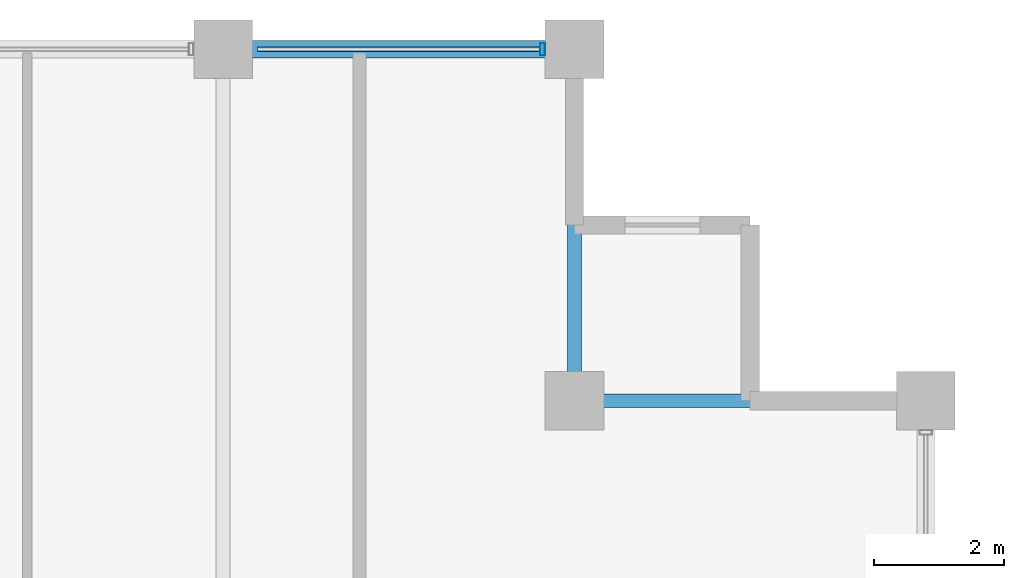
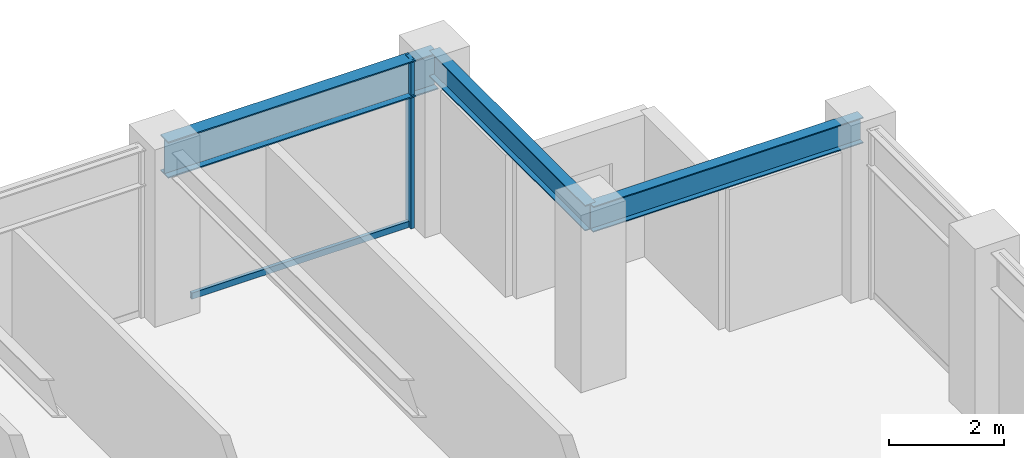
# One storey, part 23 of 31: 3 beams, 2 members, 1 element without a shape of its own.
"""IFC4 building model written with IfcOpenShell, lengths in metres."""

from ifc_helpers import new_model, si_unit, direction, frame, origin, origin_2d, place, context, subcontext, project, spatial, hollow_rectangle, i_section, extrude, material, layer, layer_set, material_profile, profile_set, type_object, element, aggregate, save


model = new_model("IFC4")

# Units and contexts
model_context = context("Model", 3, precision=1e-05, world=origin(), true_north=direction((0.0, 1.0)))
body_context = subcontext(model_context, "Body", "Model", "MODEL_VIEW")
ifc_project = project(units=[si_unit("LENGTHUNIT", "METRE"), si_unit("AREAUNIT", "SQUARE_METRE"), si_unit("VOLUMEUNIT", "CUBIC_METRE"), si_unit("PLANEANGLEUNIT", "RADIAN"), si_unit("MASSUNIT", "GRAM", prefix="KILO")], contexts=[model_context])

# Site, building, storey
site_placement = place(None, origin())
site = spatial("IfcSite", under=ifc_project, at=site_placement, CompositionType="ELEMENT")
building_placement = place(site_placement, origin())
building = spatial("IfcBuilding", under=site, at=building_placement, Name="Surkhivell Harbour Commons", CompositionType="ELEMENT")
storey_placement = place(building_placement, frame((0.0, 0.0, 193.5)))
storey = spatial("IfcBuildingStorey", under=building, at=storey_placement, Name="L50", CompositionType="ELEMENT", Elevation=193.5)

# Beams
ifc_material_1 = material(Name="Steel S355", Category="steel")
ifc_material_profile_1 = material_profile(ifc_material_1, i_section(OverallWidth=0.2119140625, OverallDepth=0.5439453125, WebThickness=0.0126953125, FlangeThickness=0.021240234375, at=origin_2d()), Name="UB533x210x122")
ifc_profile_set_1 = profile_set([ifc_material_profile_1], Name="Steel S355")
beam_type_1 = type_object("IfcBeamType", Name="BM-GRD-533A", PredefinedType="BEAM", material=ifc_profile_set_1)
beam_1_placement = place(storey_placement, frame((16.199951171875, 20.5, 3.298095703125), z_axis=(0.0, 1.0, 0.0), x_axis=(-1.0, 0.0, 0.0)))
element("IfcBeam", 1, at=beam_1_placement, inside=storey, type_object=beam_type_1, Name="L50 Floor Girder (16.2,20.5)", PredefinedType="BEAM", context=body_context, shape_type="SweptSolid", body=[
    extrude(i_section(OverallWidth=0.2119140625, OverallDepth=0.5439453125, WebThickness=0.0126953125, FlangeThickness=0.021240234375, at=origin_2d()), origin(), (0.0, 0.0, 1.0), 5.39990234375),
])
beam_2_placement = place(storey_placement, frame((16.199951171875, 20.5, 3.298095703125), z_axis=(1.0, 0.0, 0.0), x_axis=(0.0, 1.0, 0.0)))
element("IfcBeam", 2, at=beam_2_placement, inside=storey, type_object=beam_type_1, Name="L50 Floor Girder (16.2,20.5)", PredefinedType="BEAM", context=body_context, shape_type="SweptSolid", body=[
    extrude(i_section(OverallWidth=0.2119140625, OverallDepth=0.5439453125, WebThickness=0.0126953125, FlangeThickness=0.021240234375, at=origin_2d()), origin(), (0.0, 0.0, 1.0), 5.400146484375),
])
ifc_material_profile_2 = material_profile(ifc_material_1, i_section(OverallWidth=0.26806640625, OverallDepth=0.77001953125, WebThickness=0.015625, FlangeThickness=0.025390625, at=origin_2d()), Name="UB762x267x197")
ifc_profile_set_2 = profile_set([ifc_material_profile_2], Name="Steel S355")
beam_type_2 = type_object("IfcBeamType", Name="BM-SPN-762", PredefinedType="SPANDREL", material=ifc_profile_set_2)
beam_3_placement = place(storey_placement, frame((10.800048828125, 25.89990234375, 3.18505859375), z_axis=(1.0, 0.0, 0.0), x_axis=(0.0, 1.0, 0.0)))
element("IfcBeam", 3, at=beam_3_placement, inside=storey, type_object=beam_type_2, Name="L50 Tube Spandrel (10.8,25.9)", PredefinedType="SPANDREL", context=body_context, shape_type="SweptSolid", body=[
    extrude(i_section(OverallWidth=0.26806640625, OverallDepth=0.77001953125, WebThickness=0.015625, FlangeThickness=0.025390625, at=origin_2d()), origin(), (0.0, 0.0, 1.0), 5.39990234375),
])

# Curtain wall, members
ifc_material_2 = material(Name="Anodised pale-metal aluminium and insulated glazing", Category="aluminium")
ifc_layer = layer(ifc_material_2, 0.18994140625)
ifc_layer_set = layer_set([ifc_layer], Name="Anodised pale-metal aluminium and insulated glazing")
curtain_wall_type = type_object("IfcCurtainWallType", Name="CW-SYS-Z3", PredefinedType="NOTDEFINED", material=ifc_layer_set)
curtain_wall_placement = place(storey_placement, origin())
curtain_wall = element("IfcCurtainWall", 4, at=curtain_wall_placement, inside=storey, type_object=curtain_wall_type, Name="L50 Curtain Wall CW-L50-E07S1", PredefinedType="NOTDEFINED")
ifc_material_3 = material(Name="Anodised pale-metal aluminium alloy 6063-T6", Category="aluminium")
ifc_material_profile_3 = material_profile(ifc_material_3, hollow_rectangle(XDim=0.074951171875, YDim=0.18994140625, WallThickness=0.00390625, at=origin_2d()), Name="ALU-MULL-75x190")
ifc_profile_set_3 = profile_set([ifc_material_profile_3], Name="Anodised pale-metal aluminium alloy 6063-T6")
member_type_1 = type_object("IfcMemberType", Name="CWM-190", PredefinedType="MULLION", material=ifc_profile_set_3)
member_1_placement = place(storey_placement, frame((15.71044921875, 25.89990234375, 0.0), z_axis=(0.0, 0.0, 1.0), x_axis=(-1.0, 0.0, 0.0)))
member_1 = element("IfcMember", 5, at=member_1_placement, type_object=member_type_1, Name="CW-Z3 mullion 1", PredefinedType="MULLION", context=body_context, shape_type="SweptSolid", body=[
    extrude(hollow_rectangle(XDim=0.074951171875, YDim=0.18994140625, WallThickness=0.00390625, at=origin_2d()), origin(), (0.0, 0.0, 1.0), 3.570068359375),
])
ifc_material_4 = material(Name="Champagne anodised aluminium alloy 6063-T6", Category="aluminium")
ifc_material_profile_4 = material_profile(ifc_material_4, hollow_rectangle(XDim=0.070068359375, YDim=0.1298828125, WallThickness=0.00341796875, at=origin_2d()), Name="ALU-TRAN-70x130")
ifc_profile_set_4 = profile_set([ifc_material_profile_4], Name="Champagne anodised aluminium alloy 6063-T6")
member_type_2 = type_object("IfcMemberType", Name="CWT-130", PredefinedType="USERDEFINED", material=ifc_profile_set_4)
member_2_placement = place(storey_placement, frame((15.673095703125, 25.89990234375, 0.06494140625), z_axis=(-1.0, 0.0, 0.0), x_axis=(0.0, -1.0, 0.0)))
member_2 = element("IfcMember", 6, at=member_2_placement, type_object=member_type_2, Name="CW-Z3 transom 1.1", ObjectType="TRANSOM", PredefinedType="USERDEFINED", context=body_context, shape_type="SweptSolid", body=[
    extrude(hollow_rectangle(XDim=0.070068359375, YDim=0.1298828125, WallThickness=0.00341796875, at=origin_2d()), origin(), (0.0, 0.0, 1.0), 4.34619140625),
])
aggregate(curtain_wall, [member_1, member_2])

save(model, "model.ifc")
